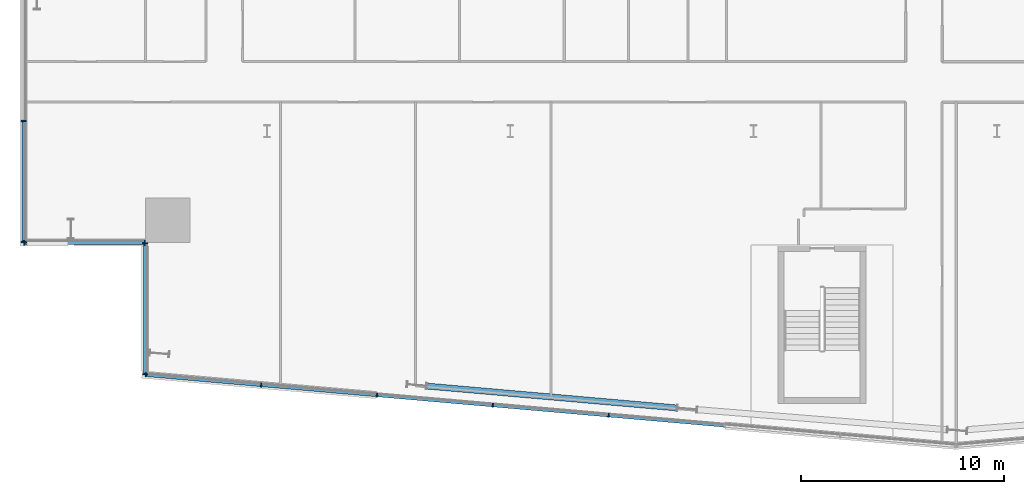
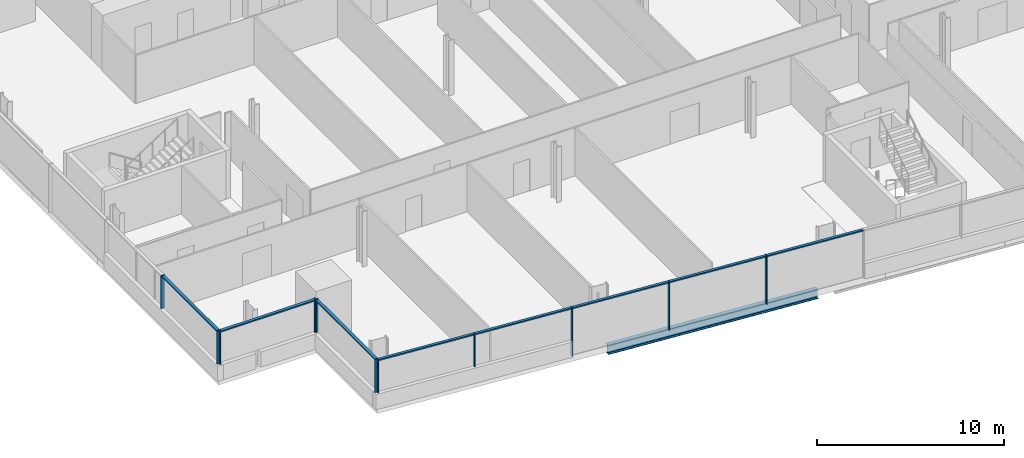
# One storey, part 4 of 24: 19 members, 1 beam, 4 elements without a shape of their own.
"""IFC4 building model written with IfcOpenShell, lengths in metres."""

from ifc_helpers import new_model, si_unit, direction, frame, origin, origin_2d, place, context, subcontext, project, spatial, rectangle, i_section, extrude, material, material_profile, profile_set, type_object, element, aggregate, save


model = new_model("IFC4")

# Units and contexts
model_context = context("Model", 3, precision=1e-05, world=origin(), true_north=direction((0.0, 1.0)))
body_context = subcontext(model_context, "Body", "Model", "MODEL_VIEW")
ifc_project = project(units=[si_unit("LENGTHUNIT", "METRE"), si_unit("AREAUNIT", "SQUARE_METRE"), si_unit("VOLUMEUNIT", "CUBIC_METRE"), si_unit("PLANEANGLEUNIT", "RADIAN"), si_unit("MASSUNIT", "GRAM", prefix="KILO")], contexts=[model_context])

# Site, building, storey
site_placement = place(None, origin())
site = spatial("IfcSite", under=ifc_project, at=site_placement, CompositionType="ELEMENT")
building_placement = place(site_placement, origin())
building = spatial("IfcBuilding", under=site, at=building_placement, Name="Wharfspan Tower", CompositionType="ELEMENT")
storey_placement = place(building_placement, frame((0.0, 0.0, 88.300049)))
storey = spatial("IfcBuildingStorey", under=building, at=storey_placement, Name="L19", CompositionType="ELEMENT", Elevation=88.300049)

# Beam
ifc_material_1 = material(Name="Steel S355J2", Category="steel")
ifc_material_profile_1 = material_profile(ifc_material_1, i_section(OverallWidth=0.300049, OverallDepth=0.600098, WebThickness=0.015381, FlangeThickness=0.030029, FilletRadius=0.0271, at=origin_2d()))
ifc_profile_set_1 = profile_set([ifc_material_profile_1], Name="Steel S355J2")
beam_type = type_object("IfcBeamType", Name="Edge beam HEB 600", PredefinedType="SPANDREL", material=ifc_profile_set_1)
beam_placement = place(storey_placement, frame((19.888916, -1.077637, -0.699951), z_axis=(0.996195, -0.087154, 0.0), x_axis=(0.087154, 0.996195, 0.0)))
element("IfcBeam", 1, at=beam_placement, inside=storey, type_object=beam_type, Name="Edge beam S1 L19 PS1.2 to PS1.3", PredefinedType="SPANDREL", context=body_context, shape_type="SweptSolid", body=[
    extrude(i_section(OverallWidth=0.300049, OverallDepth=0.600098, WebThickness=0.015381, FlangeThickness=0.030029, FilletRadius=0.0271, at=origin_2d()), origin(), (0.0, 0.0, 1.0), 12.384277),
])

# Curtain wall, members
ifc_material_2 = material(Name="Aluminium 6063-T6", Category="aluminium")
curtain_wall_type_1 = type_object("IfcCurtainWallType", Name="CURTAIN WALL FACETED FRONT", PredefinedType="NOTDEFINED", material=ifc_material_2)
curtain_wall_1_placement = place(storey_placement, origin())
curtain_wall_1 = element("IfcCurtainWall", 2, at=curtain_wall_1_placement, inside=storey, type_object=curtain_wall_type_1, Name="Curtain wall S1", PredefinedType="NOTDEFINED")
ifc_material_profile_2 = material_profile(ifc_material_2, rectangle(XDim=0.199951, YDim=0.060059, at=origin_2d()))
ifc_profile_set_2 = profile_set([ifc_material_profile_2], Name="Aluminium 6063-T6")
member_type_1 = type_object("IfcMemberType", Name="MULLION FACETED FRONT 60x200", PredefinedType="MULLION", material=ifc_profile_set_2)
member_1_placement = place(storey_placement, frame((6.029785, -0.527588, 1.0), z_axis=(0.0, 0.0, 1.0), x_axis=(0.087156, 0.996197, 0.0)))
member_1 = element("IfcMember", 3, at=member_1_placement, type_object=member_type_1, Name="Curtain wall S1 mullion 1", PredefinedType="MULLION", context=body_context, shape_type="SweptSolid", body=[
    extrude(rectangle(XDim=0.199951, YDim=0.060059, at=origin_2d()), origin(), (0.0, 0.0, 1.0), 2.149902),
])
member_2_placement = place(storey_placement, frame((11.714355, -1.024902, 1.0), z_axis=(0.0, 0.0, 1.0), x_axis=(0.087156, 0.996197, 0.0)))
member_2 = element("IfcMember", 4, at=member_2_placement, type_object=member_type_1, Name="Curtain wall S1 mullion 2", PredefinedType="MULLION", context=body_context, shape_type="SweptSolid", body=[
    extrude(rectangle(XDim=0.199951, YDim=0.060059, at=origin_2d()), origin(), (0.0, 0.0, 1.0), 2.149902),
])
member_3_placement = place(storey_placement, frame((17.428467, -1.524902, 0.0), z_axis=(0.0, 0.0, 1.0), x_axis=(0.087156, 0.996197, 0.0)))
member_3 = element("IfcMember", 5, at=member_3_placement, type_object=member_type_1, Name="Curtain wall S1 mullion 3", PredefinedType="MULLION", context=body_context, shape_type="SweptSolid", body=[
    extrude(rectangle(XDim=0.199951, YDim=0.060059, at=origin_2d()), origin(), (0.0, 0.0, 1.0), 3.149902),
])
member_4_placement = place(storey_placement, frame((23.142822, -2.024658, 0.0), z_axis=(0.0, 0.0, 1.0), x_axis=(0.087156, 0.996197, 0.0)))
member_4 = element("IfcMember", 6, at=member_4_placement, type_object=member_type_1, Name="Curtain wall S1 mullion 4", PredefinedType="MULLION", context=body_context, shape_type="SweptSolid", body=[
    extrude(rectangle(XDim=0.199951, YDim=0.060059, at=origin_2d()), origin(), (0.0, 0.0, 1.0), 3.149902),
])
member_5_placement = place(storey_placement, frame((28.857178, -2.524658, 0.0), z_axis=(0.0, 0.0, 1.0), x_axis=(0.087156, 0.996197, 0.0)))
member_5 = element("IfcMember", 7, at=member_5_placement, type_object=member_type_1, Name="Curtain wall S1 mullion 5", PredefinedType="MULLION", context=body_context, shape_type="SweptSolid", body=[
    extrude(rectangle(XDim=0.199951, YDim=0.060059, at=origin_2d()), origin(), (0.0, 0.0, 1.0), 3.149902),
])

curtain_wall_type_2 = type_object("IfcCurtainWallType", Name="CURTAIN WALL PROW AND END", PredefinedType="NOTDEFINED", material=ifc_material_2)
curtain_wall_2_placement = place(storey_placement, origin())
curtain_wall_2 = element("IfcCurtainWall", 8, at=curtain_wall_2_placement, inside=storey, type_object=curtain_wall_type_2, Name="Curtain wall W", PredefinedType="NOTDEFINED")
ifc_material_profile_3 = material_profile(ifc_material_2, rectangle(XDim=0.23999, YDim=0.060059, at=origin_2d()))
ifc_profile_set_3 = profile_set([ifc_material_profile_3], Name="Aluminium 6063-T6")
member_type_2 = type_object("IfcMemberType", Name="MULLION PROW AND END 60x240", PredefinedType="MULLION", material=ifc_profile_set_3)
member_6_placement = place(storey_placement, frame((0.0, 12.0, 1.0), z_axis=(0.0, 0.0, 1.0), x_axis=(1.0, 0.0, 0.0)))
member_6 = element("IfcMember", 9, at=member_6_placement, type_object=member_type_2, Name="Curtain wall W mullion 6", PredefinedType="MULLION", context=body_context, shape_type="SweptSolid", body=[
    extrude(rectangle(XDim=0.23999, YDim=0.060059, at=origin_2d()), origin(), (0.0, 0.0, 1.0), 2.149902),
])
member_7_placement = place(storey_placement, frame((0.0, 6.030029, 1.0), z_axis=(0.0, 0.0, 1.0), x_axis=(1.0, 0.0, 0.0)))
member_7 = element("IfcMember", 10, at=member_7_placement, type_object=member_type_2, Name="Curtain wall W mullion 7", PredefinedType="MULLION", context=body_context, shape_type="SweptSolid", body=[
    extrude(rectangle(XDim=0.23999, YDim=0.060059, at=origin_2d()), origin(), (0.0, 0.0, 1.0), 2.149902),
])

curtain_wall_3_placement = place(storey_placement, origin())
curtain_wall_3 = element("IfcCurtainWall", 11, at=curtain_wall_3_placement, inside=storey, type_object=curtain_wall_type_2, Name="Curtain wall NFW-H", PredefinedType="NOTDEFINED")
member_8_placement = place(storey_placement, frame((0.030029, 6.0, 1.0), z_axis=(0.0, 0.0, 1.0), x_axis=(0.0, 1.0, 0.0)))
member_8 = element("IfcMember", 12, at=member_8_placement, type_object=member_type_2, Name="Curtain wall NFW-H mullion 1", PredefinedType="MULLION", context=body_context, shape_type="SweptSolid", body=[
    extrude(rectangle(XDim=0.23999, YDim=0.060059, at=origin_2d()), origin(), (0.0, 0.0, 1.0), 2.149902),
])
member_9_placement = place(storey_placement, frame((5.969971, 6.0, 1.0), z_axis=(0.0, 0.0, 1.0), x_axis=(0.0, 1.0, 0.0)))
member_9 = element("IfcMember", 13, at=member_9_placement, type_object=member_type_2, Name="Curtain wall NFW-H mullion 2", PredefinedType="MULLION", context=body_context, shape_type="SweptSolid", body=[
    extrude(rectangle(XDim=0.23999, YDim=0.060059, at=origin_2d()), origin(), (0.0, 0.0, 1.0), 2.149902),
])

curtain_wall_4_placement = place(storey_placement, origin())
curtain_wall_4 = element("IfcCurtainWall", 14, at=curtain_wall_4_placement, inside=storey, type_object=curtain_wall_type_2, Name="Curtain wall NFW-V", PredefinedType="NOTDEFINED")
member_10_placement = place(storey_placement, frame((6.0, 5.969971, 1.0), z_axis=(0.0, 0.0, 1.0), x_axis=(1.0, 0.0, 0.0)))
member_10 = element("IfcMember", 15, at=member_10_placement, type_object=member_type_2, Name="Curtain wall NFW-V mullion 1", PredefinedType="MULLION", context=body_context, shape_type="SweptSolid", body=[
    extrude(rectangle(XDim=0.23999, YDim=0.060059, at=origin_2d()), origin(), (0.0, 0.0, 1.0), 2.149902),
])
member_11_placement = place(storey_placement, frame((6.0, -0.494873, 1.0), z_axis=(0.0, 0.0, 1.0), x_axis=(1.0, 0.0, 0.0)))
member_11 = element("IfcMember", 16, at=member_11_placement, type_object=member_type_2, Name="Curtain wall NFW-V mullion 2", PredefinedType="MULLION", context=body_context, shape_type="SweptSolid", body=[
    extrude(rectangle(XDim=0.23999, YDim=0.060059, at=origin_2d()), origin(), (0.0, 0.0, 1.0), 2.149902),
])

# Member
ifc_material_profile_4 = material_profile(ifc_material_2, rectangle(XDim=0.159912, YDim=0.080078, at=origin_2d()))
ifc_profile_set_4 = profile_set([ifc_material_profile_4], Name="Aluminium 6063-T6")
member_type_3 = type_object("IfcMemberType", Name="TRANSOM FACETED FRONT 80x160", PredefinedType="USERDEFINED", material=ifc_profile_set_4)
member_12_placement = place(storey_placement, frame((6.059814, -0.530273, 3.109863), z_axis=(0.996197, -0.087132, 0.0), x_axis=(0.087132, 0.996197, 0.0)))
member_12 = element("IfcMember", 17, at=member_12_placement, type_object=member_type_3, Name="Curtain wall S1 transom 1", ObjectType="TRANSOM", PredefinedType="USERDEFINED", context=body_context, shape_type="SweptSolid", body=[
    extrude(rectangle(XDim=0.159912, YDim=0.080078, at=origin_2d()), origin(), (0.0, 0.0, 1.0), 5.645996),
])

member_13_placement = place(storey_placement, frame((11.744141, -1.027588, 3.109863), z_axis=(0.996196, -0.087142, 0.0), x_axis=(0.087142, 0.996196, 0.0)))
member_13 = element("IfcMember", 18, at=member_13_placement, type_object=member_type_3, Name="Curtain wall S1 transom 2", ObjectType="TRANSOM", PredefinedType="USERDEFINED", context=body_context, shape_type="SweptSolid", body=[
    extrude(rectangle(XDim=0.159912, YDim=0.080078, at=origin_2d()), origin(), (0.0, 0.0, 1.0), 5.676025),
])

member_14_placement = place(storey_placement, frame((17.458496, -1.527344, 3.109863), z_axis=(0.996192, -0.087185, 0.0), x_axis=(0.087185, 0.996192, 0.0)))
member_14 = element("IfcMember", 19, at=member_14_placement, type_object=member_type_3, Name="Curtain wall S1 transom 3", ObjectType="TRANSOM", PredefinedType="USERDEFINED", context=body_context, shape_type="SweptSolid", body=[
    extrude(rectangle(XDim=0.159912, YDim=0.080078, at=origin_2d()), origin(), (0.0, 0.0, 1.0), 5.67627),
])

member_15_placement = place(storey_placement, frame((23.172852, -2.027344, 3.109863), z_axis=(0.996196, -0.087146, 0.0), x_axis=(0.087146, 0.996196, 0.0)))
member_15 = element("IfcMember", 20, at=member_15_placement, type_object=member_type_3, Name="Curtain wall S1 transom 4", ObjectType="TRANSOM", PredefinedType="USERDEFINED", context=body_context, shape_type="SweptSolid", body=[
    extrude(rectangle(XDim=0.159912, YDim=0.080078, at=origin_2d()), origin(), (0.0, 0.0, 1.0), 5.675781),
])

member_16_placement = place(storey_placement, frame((28.886963, -2.527344, 3.109863), z_axis=(0.996196, -0.087142, 0.0), x_axis=(0.087142, 0.996196, 0.0)))
member_16 = element("IfcMember", 21, at=member_16_placement, type_object=member_type_3, Name="Curtain wall S1 transom 5", ObjectType="TRANSOM", PredefinedType="USERDEFINED", context=body_context, shape_type="SweptSolid", body=[
    extrude(rectangle(XDim=0.159912, YDim=0.080078, at=origin_2d()), origin(), (0.0, 0.0, 1.0), 5.676025),
])

aggregate(curtain_wall_1, [member_1, member_2, member_3, member_4, member_5, member_12, member_13, member_14, member_15, member_16])

ifc_material_profile_5 = material_profile(ifc_material_2, rectangle(XDim=0.179932, YDim=0.080078, at=origin_2d()))
ifc_profile_set_5 = profile_set([ifc_material_profile_5], Name="Aluminium 6063-T6")
member_type_4 = type_object("IfcMemberType", Name="TRANSOM PROW AND END 80x180", PredefinedType="USERDEFINED", material=ifc_profile_set_5)
member_17_placement = place(storey_placement, frame((0.0, 11.969971, 3.109863), z_axis=(0.0, -1.0, 0.0), x_axis=(1.0, 0.0, 0.0)))
member_17 = element("IfcMember", 22, at=member_17_placement, type_object=member_type_4, Name="Curtain wall W transom 6", ObjectType="TRANSOM", PredefinedType="USERDEFINED", context=body_context, shape_type="SweptSolid", body=[
    extrude(rectangle(XDim=0.179932, YDim=0.080078, at=origin_2d()), origin(), (0.0, 0.0, 1.0), 5.909912),
])

aggregate(curtain_wall_2, [member_6, member_7, member_17])

member_18_placement = place(storey_placement, frame((0.060059, 6.0, 3.109863), z_axis=(1.0, 0.0, 0.0), x_axis=(0.0, 1.0, 0.0)))
member_18 = element("IfcMember", 23, at=member_18_placement, type_object=member_type_4, Name="Curtain wall NFW-H transom 1", ObjectType="TRANSOM", PredefinedType="USERDEFINED", context=body_context, shape_type="SweptSolid", body=[
    extrude(rectangle(XDim=0.179932, YDim=0.080078, at=origin_2d()), origin(), (0.0, 0.0, 1.0), 5.879883),
])

aggregate(curtain_wall_3, [member_8, member_9, member_18])

member_19_placement = place(storey_placement, frame((6.0, 5.939941, 3.109863), z_axis=(0.0, -1.0, 0.0), x_axis=(1.0, 0.0, 0.0)))
member_19 = element("IfcMember", 24, at=member_19_placement, type_object=member_type_4, Name="Curtain wall NFW-V transom 1", ObjectType="TRANSOM", PredefinedType="USERDEFINED", context=body_context, shape_type="SweptSolid", body=[
    extrude(rectangle(XDim=0.179932, YDim=0.080078, at=origin_2d()), origin(), (0.0, 0.0, 1.0), 6.404785),
])

aggregate(curtain_wall_4, [member_10, member_11, member_19])

save(model, "model.ifc")
